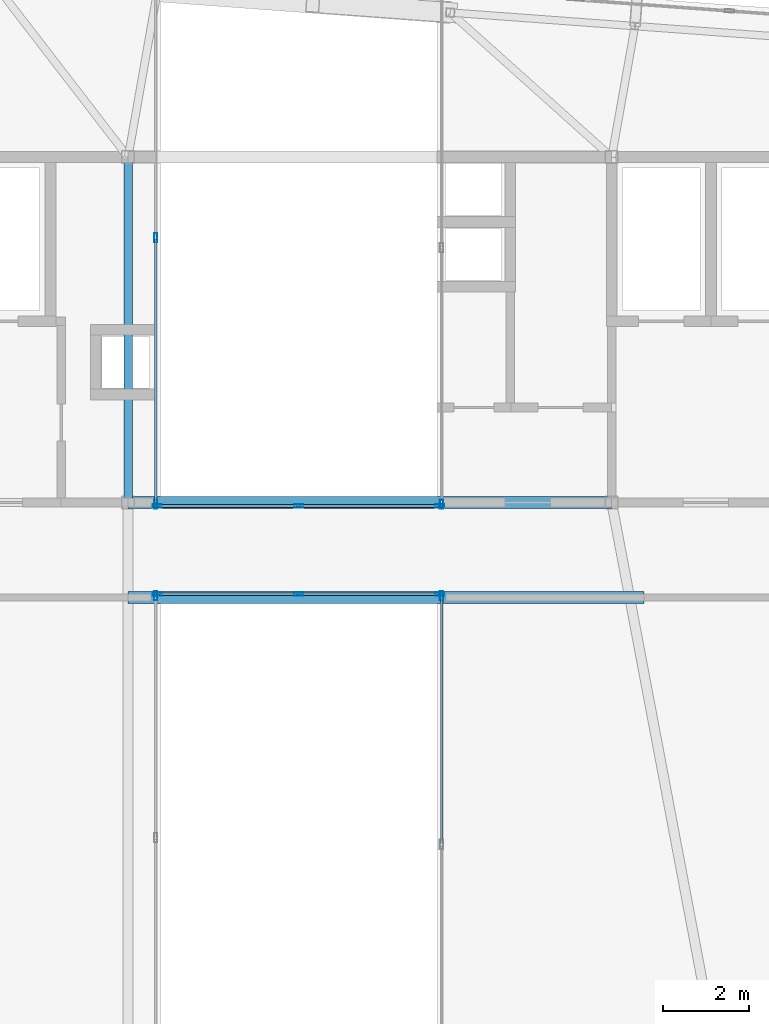
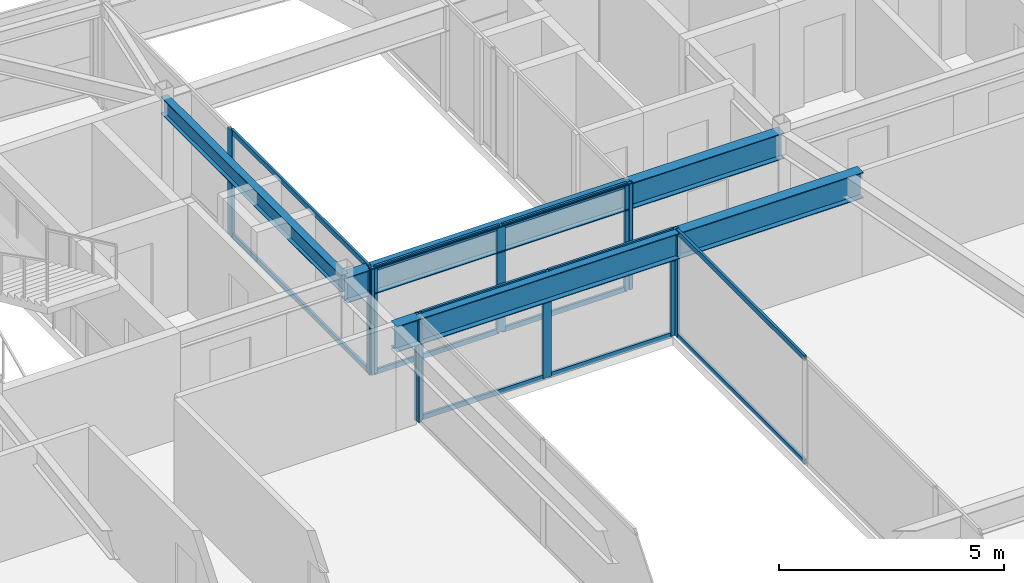
# One storey, part 17 of 40: 23 members, 3 beams, 6 elements without a shape of their own.
"""IFC4 building model written with IfcOpenShell, lengths in metres."""

from ifc_helpers import new_model, si_unit, direction, frame, origin, origin_2d, place, context, subcontext, project, spatial, hollow_rectangle, i_section, extrude, source, transform, mapped, material, layer, layer_set, material_profile, profile_set, type_object, element, aggregate, save


model = new_model("IFC4")

# Units and contexts
model_context = context("Model", 3, precision=1e-05, world=origin(), true_north=direction((0.0, 1.0)))
body_context = subcontext(model_context, "Body", "Model", "MODEL_VIEW")
ifc_project = project(units=[si_unit("LENGTHUNIT", "METRE"), si_unit("AREAUNIT", "SQUARE_METRE"), si_unit("VOLUMEUNIT", "CUBIC_METRE"), si_unit("PLANEANGLEUNIT", "RADIAN"), si_unit("MASSUNIT", "GRAM", prefix="KILO")], contexts=[model_context])

# Site, building, storey
site_placement = place(None, origin())
site = spatial("IfcSite", under=ifc_project, at=site_placement, CompositionType="ELEMENT")
building_placement = place(site_placement, origin())
building = spatial("IfcBuilding", under=site, at=building_placement, Name="Taldren Reach Tower", CompositionType="ELEMENT")
storey_placement = place(building_placement, frame((0.0, 0.0, 233.449951171875)))
storey = spatial("IfcBuildingStorey", under=building, at=storey_placement, Name="L71", CompositionType="ELEMENT", Elevation=233.449951171875)

# Beams
ifc_material_1 = material(Name="Steel Gr 350 (350PLUS)", Category="steel")
ifc_material_profile_1 = material_profile(ifc_material_1, i_section(OverallWidth=0.19091796875, OverallDepth=0.4599609375, WebThickness=0.010009765625, FlangeThickness=0.01611328125, at=origin_2d()), Name="460UB82.1")
ifc_profile_set_1 = profile_set([ifc_material_profile_1], Name="Steel Gr 350 (350PLUS)")
beam_type_1 = type_object("IfcBeamType", Name="BM-UB460A", PredefinedType="BEAM", material=ifc_profile_set_1)
shared_shape_1 = source(origin(), body_context, "Body", "SweptSolid", [
    extrude(i_section(OverallWidth=0.19091796875, OverallDepth=0.4599609375, WebThickness=0.010009765625, FlangeThickness=0.01611328125, at=origin_2d()), origin(), (0.0, 0.0, 1.0), 8.0),
])
beam_1_placement = place(storey_placement, frame((28.0, 24.0, 2.64013671875), z_axis=(0.0, 1.0, 0.0), x_axis=(-1.0, 0.0, 0.0)))
element("IfcBeam", 1, at=beam_1_placement, inside=storey, type_object=beam_type_1, Name="Core-spine girder L71-SP07", PredefinedType="BEAM", context=body_context, shape_type="MappedRepresentation", body=[
    mapped(shared_shape_1, transform((0.0, 0.0, 0.0), scale=1.0)),
])
ifc_material_profile_2 = material_profile(ifc_material_1, i_section(OverallWidth=0.27490234375, OverallDepth=0.699951171875, WebThickness=0.010009765625, FlangeThickness=0.02001953125, at=origin_2d()), Name="700WB150")
ifc_profile_set_2 = profile_set([ifc_material_profile_2], Name="Steel Gr 350 (350PLUS)")
beam_type_2 = type_object("IfcBeamType", Name="BM-WB700", PredefinedType="BEAM", material=ifc_profile_set_2)
shared_shape_2 = source(origin(), body_context, "Body", "SweptSolid", [
    extrude(i_section(OverallWidth=0.27490234375, OverallDepth=0.699951171875, WebThickness=0.010009765625, FlangeThickness=0.02001953125, at=origin_2d()), origin(), (0.0, 0.0, 1.0), 11.199951171875),
])
beam_2_placement = place(storey_placement, frame((28.0, 24.0, 2.52001953125), z_axis=(1.0, 0.0, 0.0), x_axis=(0.0, 1.0, 0.0)))
element("IfcBeam", 2, at=beam_2_placement, inside=storey, type_object=beam_type_2, Name="Core-spine girder L71-SP02", PredefinedType="BEAM", context=body_context, shape_type="MappedRepresentation", body=[
    mapped(shared_shape_2, transform((0.0, 0.0, 0.0), scale=1.0)),
])
shared_shape_3 = source(origin(), body_context, "Body", "SweptSolid", [
    extrude(i_section(OverallWidth=0.27490234375, OverallDepth=0.699951171875, WebThickness=0.010009765625, FlangeThickness=0.02001953125, at=origin_2d()), origin(), (0.0, 0.0, 1.0), 11.949951171875),
])
beam_3_placement = place(storey_placement, frame((28.0, 21.800048828125, 2.52001953125), z_axis=(1.0, 0.0, 0.0), x_axis=(0.0, 1.0, 0.0)))
element("IfcBeam", 3, at=beam_3_placement, inside=storey, type_object=beam_type_2, Name="Wind portal sky-bridge south girder L71", PredefinedType="BEAM", context=body_context, shape_type="MappedRepresentation", body=[
    mapped(shared_shape_3, transform((0.0, 0.0, 0.0), scale=1.0)),
])

# Curtain wall, members
ifc_material_2 = material(Name="Aluminium and Low-E Glass Unitised System", Category="aluminium")
ifc_layer = layer(ifc_material_2, 0.159912109375)
ifc_layer_set = layer_set([ifc_layer], Name="Aluminium and Low-E Glass Unitised System")
curtain_wall_type = type_object("IfcCurtainWallType", Name="CW-SYS-7", PredefinedType="NOTDEFINED", material=ifc_layer_set)
curtain_wall_1_placement = place(storey_placement, origin())
curtain_wall_1 = element("IfcCurtainWall", 4, at=curtain_wall_1_placement, inside=storey, type_object=curtain_wall_type, Name="Unitised curtain wall CW7-L71-BRS", PredefinedType="NOTDEFINED")
ifc_material_3 = material(Name="Anodised Aluminium 6063-T6", Category="aluminium")
ifc_material_profile_3 = material_profile(ifc_material_3, hollow_rectangle(XDim=0.06005859375, YDim=0.135009765625, WallThickness=0.00341796875, at=origin_2d()), Name="ALU-135x60x3.5RHS")
ifc_profile_set_3 = profile_set([ifc_material_profile_3], Name="Anodised Aluminium 6063-T6")
member_type_1 = type_object("IfcMemberType", Name="CW-TRN-150", PredefinedType="USERDEFINED", material=ifc_profile_set_3)
shared_shape_4 = source(origin(), body_context, "Body", "SweptSolid", [
    extrude(hollow_rectangle(XDim=0.06005859375, YDim=0.135009765625, WallThickness=0.00341796875, at=origin_2d()), origin(), (0.0, 0.0, 1.0), 3.197509765625),
])
member_1_placement = place(storey_placement, frame((28.715087890625, 21.8798828125, 0.030029296875), z_axis=(1.0, 0.0, 0.0), x_axis=(0.0, 1.0, 0.0)))
member_1 = element("IfcMember", 5, at=member_1_placement, type_object=member_type_1, Name="CW-7 transom 1.1", ObjectType="TRANSOM", PredefinedType="USERDEFINED", context=body_context, shape_type="MappedRepresentation", body=[
    mapped(shared_shape_4, transform((0.0, 0.0, 0.0), scale=1.0)),
])
member_2_placement = place(storey_placement, frame((28.715087890625, 21.8798828125, 2.840087890625), z_axis=(1.0, 0.0, 0.0), x_axis=(0.0, 1.0, 0.0)))
member_2 = element("IfcMember", 6, at=member_2_placement, type_object=member_type_1, Name="CW-7 transom 1.2", ObjectType="TRANSOM", PredefinedType="USERDEFINED", context=body_context, shape_type="MappedRepresentation", body=[
    mapped(shared_shape_4, transform((0.0, 0.0, 0.0), scale=1.0)),
])
member_3_placement = place(storey_placement, frame((31.987548828125, 21.8798828125, 0.030029296875), z_axis=(1.0, 0.0, 0.0), x_axis=(0.0, 1.0, 0.0)))
member_3 = element("IfcMember", 7, at=member_3_placement, type_object=member_type_1, Name="CW-7 transom 2.1", ObjectType="TRANSOM", PredefinedType="USERDEFINED", context=body_context, shape_type="MappedRepresentation", body=[
    mapped(shared_shape_4, transform((0.0, 0.0, 0.0), scale=1.0)),
])
member_4_placement = place(storey_placement, frame((31.987548828125, 21.8798828125, 2.840087890625), z_axis=(1.0, 0.0, 0.0), x_axis=(0.0, 1.0, 0.0)))
member_4 = element("IfcMember", 8, at=member_4_placement, type_object=member_type_1, Name="CW-7 transom 2.2", ObjectType="TRANSOM", PredefinedType="USERDEFINED", context=body_context, shape_type="MappedRepresentation", body=[
    mapped(shared_shape_4, transform((0.0, 0.0, 0.0), scale=1.0)),
])

curtain_wall_2_placement = place(storey_placement, origin())
curtain_wall_2 = element("IfcCurtainWall", 9, at=curtain_wall_2_placement, inside=storey, type_object=curtain_wall_type, Name="Unitised curtain wall CW7-L71-BRN", PredefinedType="NOTDEFINED")
member_5_placement = place(storey_placement, frame((35.18505859375, 23.919921875, 0.030029296875), z_axis=(-1.0, 0.0, 0.0), x_axis=(0.0, -1.0, 0.0)))
member_5 = element("IfcMember", 10, at=member_5_placement, type_object=member_type_1, Name="CW-7 transom 1.1", ObjectType="TRANSOM", PredefinedType="USERDEFINED", context=body_context, shape_type="MappedRepresentation", body=[
    mapped(shared_shape_4, transform((0.0, 0.0, 0.0), scale=1.0)),
])
member_6_placement = place(storey_placement, frame((35.18505859375, 23.919921875, 2.840087890625), z_axis=(-1.0, 0.0, 0.0), x_axis=(0.0, -1.0, 0.0)))
member_6 = element("IfcMember", 11, at=member_6_placement, type_object=member_type_1, Name="CW-7 transom 1.2", ObjectType="TRANSOM", PredefinedType="USERDEFINED", context=body_context, shape_type="MappedRepresentation", body=[
    mapped(shared_shape_4, transform((0.0, 0.0, 0.0), scale=1.0)),
])
member_7_placement = place(storey_placement, frame((31.91259765625, 23.919921875, 0.030029296875), z_axis=(-1.0, 0.0, 0.0), x_axis=(0.0, -1.0, 0.0)))
member_7 = element("IfcMember", 12, at=member_7_placement, type_object=member_type_1, Name="CW-7 transom 2.1", ObjectType="TRANSOM", PredefinedType="USERDEFINED", context=body_context, shape_type="MappedRepresentation", body=[
    mapped(shared_shape_4, transform((0.0, 0.0, 0.0), scale=1.0)),
])
member_8_placement = place(storey_placement, frame((31.91259765625, 23.919921875, 2.840087890625), z_axis=(-1.0, 0.0, 0.0), x_axis=(0.0, -1.0, 0.0)))
member_8 = element("IfcMember", 13, at=member_8_placement, type_object=member_type_1, Name="CW-7 transom 2.2", ObjectType="TRANSOM", PredefinedType="USERDEFINED", context=body_context, shape_type="MappedRepresentation", body=[
    mapped(shared_shape_4, transform((0.0, 0.0, 0.0), scale=1.0)),
])

curtain_wall_3_placement = place(storey_placement, origin())
curtain_wall_3 = element("IfcCurtainWall", 14, at=curtain_wall_3_placement, inside=storey, type_object=curtain_wall_type, Name="Unitised curtain wall CW7-L71-PSE", PredefinedType="NOTDEFINED")
shared_shape_5 = source(origin(), body_context, "Body", "SweptSolid", [
    extrude(hollow_rectangle(XDim=0.06005859375, YDim=0.135009765625, WallThickness=0.00341796875, at=origin_2d()), origin(), (0.0, 0.0, 1.0), 5.6875),
])
member_9_placement = place(storey_placement, frame((35.260009765625, 21.804931640625, 0.030029296875), z_axis=(0.0, -1.0, 0.0), x_axis=(1.0, 0.0, 0.0)))
member_9 = element("IfcMember", 15, at=member_9_placement, type_object=member_type_1, Name="CW-7 transom 1.1", ObjectType="TRANSOM", PredefinedType="USERDEFINED", context=body_context, shape_type="MappedRepresentation", body=[
    mapped(shared_shape_5, transform((0.0, 0.0, 0.0), scale=1.0)),
])
member_10_placement = place(storey_placement, frame((35.260009765625, 21.804931640625, 2.840087890625), z_axis=(0.0, -1.0, 0.0), x_axis=(1.0, 0.0, 0.0)))
member_10 = element("IfcMember", 16, at=member_10_placement, type_object=member_type_1, Name="CW-7 transom 1.2", ObjectType="TRANSOM", PredefinedType="USERDEFINED", context=body_context, shape_type="MappedRepresentation", body=[
    mapped(shared_shape_5, transform((0.0, 0.0, 0.0), scale=1.0)),
])

curtain_wall_4_placement = place(storey_placement, origin())
curtain_wall_4 = element("IfcCurtainWall", 17, at=curtain_wall_4_placement, inside=storey, type_object=curtain_wall_type, Name="Unitised curtain wall CW7-L71-PNW", PredefinedType="NOTDEFINED")
shared_shape_6 = source(origin(), body_context, "Body", "SweptSolid", [
    extrude(hollow_rectangle(XDim=0.06005859375, YDim=0.135009765625, WallThickness=0.00341796875, at=origin_2d()), origin(), (0.0, 0.0, 1.0), 6.104248046875),
])
member_11_placement = place(storey_placement, frame((28.639892578125, 23.9951171875, 0.030029296875), z_axis=(0.0, 1.0, 0.0), x_axis=(-1.0, 0.0, 0.0)))
member_11 = element("IfcMember", 18, at=member_11_placement, type_object=member_type_1, Name="CW-7 transom 1.1", ObjectType="TRANSOM", PredefinedType="USERDEFINED", context=body_context, shape_type="MappedRepresentation", body=[
    mapped(shared_shape_6, transform((0.0, 0.0, 0.0), scale=1.0)),
])
member_12_placement = place(storey_placement, frame((28.639892578125, 23.9951171875, 2.840087890625), z_axis=(0.0, 1.0, 0.0), x_axis=(-1.0, 0.0, 0.0)))
member_12 = element("IfcMember", 19, at=member_12_placement, type_object=member_type_1, Name="CW-7 transom 1.2", ObjectType="TRANSOM", PredefinedType="USERDEFINED", context=body_context, shape_type="MappedRepresentation", body=[
    mapped(shared_shape_6, transform((0.0, 0.0, 0.0), scale=1.0)),
])

# Member
ifc_material_profile_4 = material_profile(ifc_material_3, hollow_rectangle(XDim=0.074951171875, YDim=0.2099609375, WallThickness=0.00439453125, at=origin_2d()), Name="ALU-210x75x4.5RHS")
ifc_profile_set_4 = profile_set([ifc_material_profile_4], Name="Anodised Aluminium 6063-T6")
member_type_2 = type_object("IfcMemberType", Name="CW-MUL-200", PredefinedType="MULLION", material=ifc_profile_set_4)
shared_shape_7 = source(origin(), body_context, "Body", "SweptSolid", [
    extrude(hollow_rectangle(XDim=0.074951171875, YDim=0.2099609375, WallThickness=0.00439453125, at=origin_2d()), origin(), (0.0, 0.0, 1.0), 2.8701171875),
])
member_13_placement = place(storey_placement, frame((28.677490234375, 21.8798828125, 0.0), z_axis=(0.0, 0.0, 1.0), x_axis=(0.0, 1.0, 0.0)))
member_13 = element("IfcMember", 20, at=member_13_placement, type_object=member_type_2, Name="CW-7 mullion 1", PredefinedType="MULLION", context=body_context, shape_type="MappedRepresentation", body=[
    mapped(shared_shape_7, transform((0.0, 0.0, 0.0), scale=1.0)),
])

member_14_placement = place(storey_placement, frame((31.949951171875, 21.8798828125, 0.0), z_axis=(0.0, 0.0, 1.0), x_axis=(0.0, 1.0, 0.0)))
member_14 = element("IfcMember", 21, at=member_14_placement, type_object=member_type_2, Name="CW-7 mullion 2", PredefinedType="MULLION", context=body_context, shape_type="MappedRepresentation", body=[
    mapped(shared_shape_7, transform((0.0, 0.0, 0.0), scale=1.0)),
])

member_15_placement = place(storey_placement, frame((35.222412109375, 21.8798828125, 0.0), z_axis=(0.0, 0.0, 1.0), x_axis=(0.0, 1.0, 0.0)))
member_15 = element("IfcMember", 22, at=member_15_placement, type_object=member_type_2, Name="CW-7 mullion 3", PredefinedType="MULLION", context=body_context, shape_type="MappedRepresentation", body=[
    mapped(shared_shape_7, transform((0.0, 0.0, 0.0), scale=1.0)),
])

aggregate(curtain_wall_1, [member_13, member_14, member_15, member_1, member_2, member_3, member_4])

member_16_placement = place(storey_placement, frame((35.222412109375, 23.919921875, 0.0), z_axis=(0.0, 0.0, 1.0), x_axis=(0.0, -1.0, 0.0)))
member_16 = element("IfcMember", 23, at=member_16_placement, type_object=member_type_2, Name="CW-7 mullion 1", PredefinedType="MULLION", context=body_context, shape_type="MappedRepresentation", body=[
    mapped(shared_shape_7, transform((0.0, 0.0, 0.0), scale=1.0)),
])

member_17_placement = place(storey_placement, frame((31.949951171875, 23.919921875, 0.0), z_axis=(0.0, 0.0, 1.0), x_axis=(0.0, -1.0, 0.0)))
member_17 = element("IfcMember", 24, at=member_17_placement, type_object=member_type_2, Name="CW-7 mullion 2", PredefinedType="MULLION", context=body_context, shape_type="MappedRepresentation", body=[
    mapped(shared_shape_7, transform((0.0, 0.0, 0.0), scale=1.0)),
])

member_18_placement = place(storey_placement, frame((28.677490234375, 23.919921875, 0.0), z_axis=(0.0, 0.0, 1.0), x_axis=(0.0, -1.0, 0.0)))
member_18 = element("IfcMember", 25, at=member_18_placement, type_object=member_type_2, Name="CW-7 mullion 3", PredefinedType="MULLION", context=body_context, shape_type="MappedRepresentation", body=[
    mapped(shared_shape_7, transform((0.0, 0.0, 0.0), scale=1.0)),
])

aggregate(curtain_wall_2, [member_16, member_17, member_18, member_5, member_6, member_7, member_8])

# Curtain wall, member
curtain_wall_5_placement = place(storey_placement, origin())
curtain_wall_5 = element("IfcCurtainWall", 26, at=curtain_wall_5_placement, inside=storey, type_object=curtain_wall_type, Name="Unitised curtain wall CW7-L71-PSW", PredefinedType="NOTDEFINED")
member_19_placement = place(storey_placement, frame((28.639892578125, 21.842529296875, 0.0), z_axis=(0.0, 0.0, 1.0), x_axis=(-1.0, 0.0, 0.0)))
member_19 = element("IfcMember", 27, at=member_19_placement, type_object=member_type_2, Name="CW-7 mullion 4", PredefinedType="MULLION", context=body_context, shape_type="MappedRepresentation", body=[
    mapped(shared_shape_7, transform((0.0, 0.0, 0.0), scale=1.0)),
])
aggregate(curtain_wall_5, [member_19])

# Member
member_20_placement = place(storey_placement, frame((35.260009765625, 21.842529296875, 0.0), z_axis=(0.0, 0.0, 1.0), x_axis=(1.0, 0.0, 0.0)))
member_20 = element("IfcMember", 28, at=member_20_placement, type_object=member_type_2, Name="CW-7 mullion 1", PredefinedType="MULLION", context=body_context, shape_type="MappedRepresentation", body=[
    mapped(shared_shape_7, transform((0.0, 0.0, 0.0), scale=1.0)),
])

aggregate(curtain_wall_3, [member_20, member_9, member_10])

member_21_placement = place(storey_placement, frame((28.639892578125, 23.95751953125, 0.0), z_axis=(0.0, 0.0, 1.0), x_axis=(-1.0, 0.0, 0.0)))
member_21 = element("IfcMember", 29, at=member_21_placement, type_object=member_type_2, Name="CW-7 mullion 1", PredefinedType="MULLION", context=body_context, shape_type="MappedRepresentation", body=[
    mapped(shared_shape_7, transform((0.0, 0.0, 0.0), scale=1.0)),
])

member_22_placement = place(storey_placement, frame((28.639892578125, 30.136962890625, 0.0), z_axis=(0.0, 0.0, 1.0), x_axis=(-1.0, 0.0, 0.0)))
member_22 = element("IfcMember", 30, at=member_22_placement, type_object=member_type_2, Name="CW-7 mullion 2", PredefinedType="MULLION", context=body_context, shape_type="MappedRepresentation", body=[
    mapped(shared_shape_7, transform((0.0, 0.0, 0.0), scale=1.0)),
])

aggregate(curtain_wall_4, [member_21, member_22, member_11, member_12])

# Curtain wall, member
curtain_wall_6_placement = place(storey_placement, origin())
curtain_wall_6 = element("IfcCurtainWall", 31, at=curtain_wall_6_placement, inside=storey, type_object=curtain_wall_type, Name="Unitised curtain wall CW7-L71-PNE", PredefinedType="NOTDEFINED")
member_23_placement = place(storey_placement, frame((35.260009765625, 23.95751953125, 0.0), z_axis=(0.0, 0.0, 1.0), x_axis=(1.0, 0.0, 0.0)))
member_23 = element("IfcMember", 32, at=member_23_placement, type_object=member_type_2, Name="CW-7 mullion 3", PredefinedType="MULLION", context=body_context, shape_type="MappedRepresentation", body=[
    mapped(shared_shape_7, transform((0.0, 0.0, 0.0), scale=1.0)),
])
aggregate(curtain_wall_6, [member_23])

save(model, "model.ifc")
